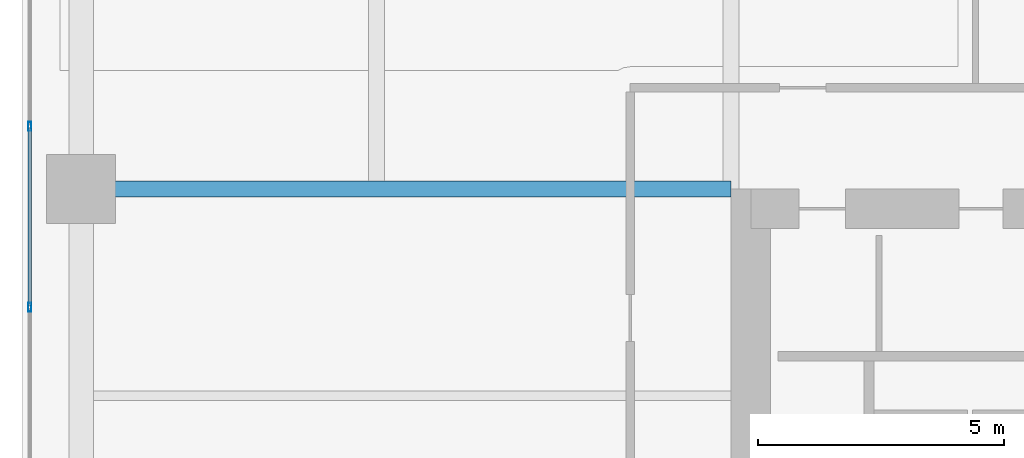
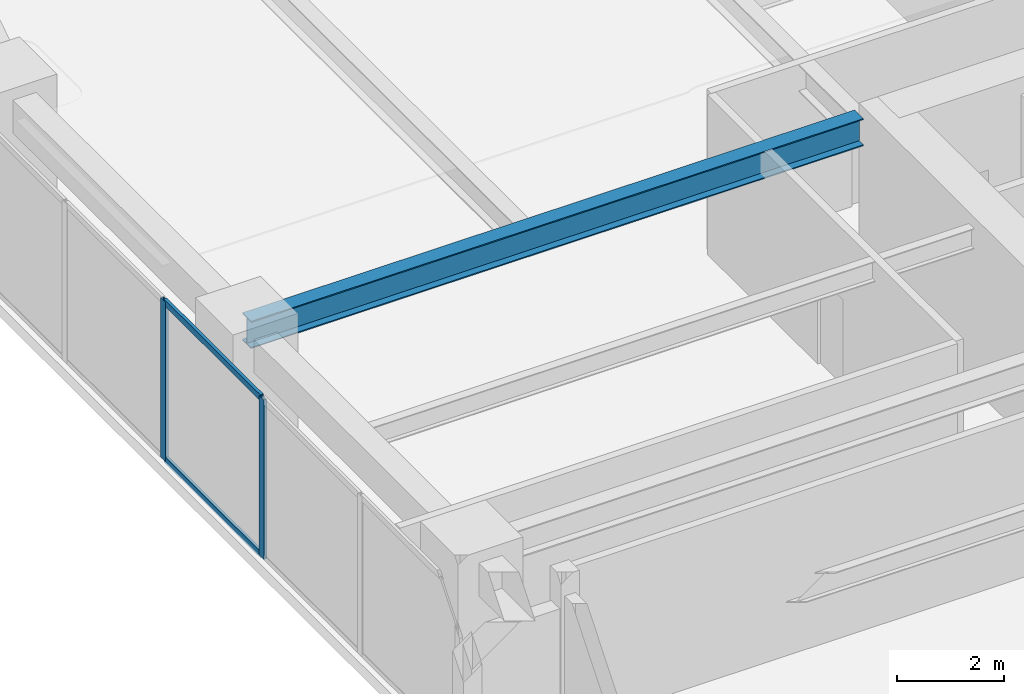
# One storey, part 8 of 24: 4 members, 1 beam, 1 element without a shape of its own.
"""IFC4 building model written with IfcOpenShell, lengths in metres."""

from ifc_helpers import new_model, si_unit, direction, frame, origin, origin_2d, place, context, subcontext, project, spatial, hollow_rectangle, i_section, extrude, material, layer, layer_set, material_profile, profile_set, type_object, element, aggregate, save


model = new_model("IFC4")

# Units and contexts
model_context = context("Model", 3, precision=1e-05, world=origin(), true_north=direction((0.0, 1.0)))
body_context = subcontext(model_context, "Body", "Model", "MODEL_VIEW")
ifc_project = project(units=[si_unit("LENGTHUNIT", "METRE"), si_unit("AREAUNIT", "SQUARE_METRE"), si_unit("VOLUMEUNIT", "CUBIC_METRE"), si_unit("PLANEANGLEUNIT", "RADIAN"), si_unit("MASSUNIT", "GRAM", prefix="KILO")], contexts=[model_context])

# Site, building, storey
site_placement = place(None, origin())
site = spatial("IfcSite", under=ifc_project, at=site_placement, CompositionType="ELEMENT")
building_placement = place(site_placement, origin())
building = spatial("IfcBuilding", under=site, at=building_placement, Name="Kiyonajd Concourse Tower", CompositionType="ELEMENT")
storey_placement = place(building_placement, frame((0.0, 0.0, 133.800048828125)))
storey = spatial("IfcBuildingStorey", under=building, at=storey_placement, Name="L34", CompositionType="ELEMENT", Elevation=133.800048828125)

# Beam
ifc_material_1 = material(Name="Steel ASTM A992 Grade 50", Category="steel")
ifc_material_profile_1 = material_profile(ifc_material_1, i_section(OverallWidth=0.326904296875, OverallDepth=0.6220703125, WebThickness=0.015380859375, FlangeThickness=0.0244140625, at=origin_2d()), Name="W610X195")
ifc_profile_set_1 = profile_set([ifc_material_profile_1], Name="Steel ASTM A992 Grade 50")
beam_type = type_object("IfcBeamType", Name="BM-TWR-610A", PredefinedType="BEAM", material=ifc_profile_set_1)
beam_placement = place(storey_placement, frame((19.199951171875, 44.39990234375, 3.328857421875), z_axis=(1.0, 0.0, 0.0), x_axis=(0.0, 1.0, 0.0)))
element("IfcBeam", 1, at=beam_placement, inside=storey, type_object=beam_type, Name="L34 West Lease Girder", PredefinedType="BEAM", context=body_context, shape_type="SweptSolid", body=[
    extrude(i_section(OverallWidth=0.326904296875, OverallDepth=0.6220703125, WebThickness=0.015380859375, FlangeThickness=0.0244140625, at=origin_2d()), origin(), (0.0, 0.0, 1.0), 13.199951171875),
])

# Curtain wall, members
ifc_material_2 = material(Name="Thermally Broken Anodised Aluminium", Category="aluminium")
ifc_layer = layer(ifc_material_2, 0.179931640625)
ifc_layer_set = layer_set([ifc_layer], Name="Thermally Broken Anodised Aluminium")
curtain_wall_type = type_object("IfcCurtainWallType", Name="CW-SYS-03", PredefinedType="NOTDEFINED", material=ifc_layer_set)
curtain_wall_placement = place(storey_placement, origin())
curtain_wall = element("IfcCurtainWall", 2, at=curtain_wall_placement, inside=storey, type_object=curtain_wall_type, Name="L34 Unitised Curtain Wall CW3", PredefinedType="NOTDEFINED")
ifc_material_profile_2 = material_profile(ifc_material_2, hollow_rectangle(XDim=0.06494140625, YDim=0.179931640625, WallThickness=0.00390625, at=origin_2d()), Name="MULL-65x180")
ifc_profile_set_2 = profile_set([ifc_material_profile_2], Name="Thermally Broken Anodised Aluminium")
member_type_1 = type_object("IfcMemberType", Name="MB-CW-MULL1", PredefinedType="MULLION", material=ifc_profile_set_2)
member_1_placement = place(storey_placement, frame((18.159912109375, 41.996337890625, 0.0), z_axis=(0.0, 0.0, 1.0), x_axis=(-1.0, 0.0, 0.0)))
member_1 = element("IfcMember", 3, at=member_1_placement, type_object=member_type_1, Name="CW3 mullion 3", PredefinedType="MULLION", context=body_context, shape_type="SweptSolid", body=[
    extrude(hollow_rectangle(XDim=0.06494140625, YDim=0.179931640625, WallThickness=0.00390625, at=origin_2d()), origin(), (0.0, 0.0, 1.0), 3.639892578125),
])
member_2_placement = place(storey_placement, frame((18.159912109375, 45.66943359375, 0.0), z_axis=(0.0, 0.0, 1.0), x_axis=(-1.0, 0.0, 0.0)))
member_2 = element("IfcMember", 4, at=member_2_placement, type_object=member_type_1, Name="CW3 mullion 4", PredefinedType="MULLION", context=body_context, shape_type="SweptSolid", body=[
    extrude(hollow_rectangle(XDim=0.06494140625, YDim=0.179931640625, WallThickness=0.00390625, at=origin_2d()), origin(), (0.0, 0.0, 1.0), 3.639892578125),
])
ifc_material_profile_3 = material_profile(ifc_material_2, hollow_rectangle(XDim=0.06494140625, YDim=0.139892578125, WallThickness=0.00390625, at=origin_2d()), Name="TRAN-65x140")
ifc_profile_set_3 = profile_set([ifc_material_profile_3], Name="Thermally Broken Anodised Aluminium")
member_type_2 = type_object("IfcMemberType", Name="MB-CW-TRAN1", PredefinedType="USERDEFINED", material=ifc_profile_set_3)
member_3_placement = place(storey_placement, frame((18.159912109375, 42.02880859375, 0.032470703125), z_axis=(0.0, 1.0, 0.0), x_axis=(-1.0, 0.0, 0.0)))
member_3 = element("IfcMember", 5, at=member_3_placement, type_object=member_type_2, Name="CW3 transom 3.1", ObjectType="TRANSOM", PredefinedType="USERDEFINED", context=body_context, shape_type="SweptSolid", body=[
    extrude(hollow_rectangle(XDim=0.06494140625, YDim=0.139892578125, WallThickness=0.00390625, at=origin_2d()), origin(), (0.0, 0.0, 1.0), 3.608154296875),
])
member_4_placement = place(storey_placement, frame((18.159912109375, 42.02880859375, 3.607421875), z_axis=(0.0, 1.0, 0.0), x_axis=(-1.0, 0.0, 0.0)))
member_4 = element("IfcMember", 6, at=member_4_placement, type_object=member_type_2, Name="CW3 transom 3.2", ObjectType="TRANSOM", PredefinedType="USERDEFINED", context=body_context, shape_type="SweptSolid", body=[
    extrude(hollow_rectangle(XDim=0.06494140625, YDim=0.139892578125, WallThickness=0.00390625, at=origin_2d()), origin(), (0.0, 0.0, 1.0), 3.608154296875),
])
aggregate(curtain_wall, [member_1, member_2, member_3, member_4])

save(model, "model.ifc")
